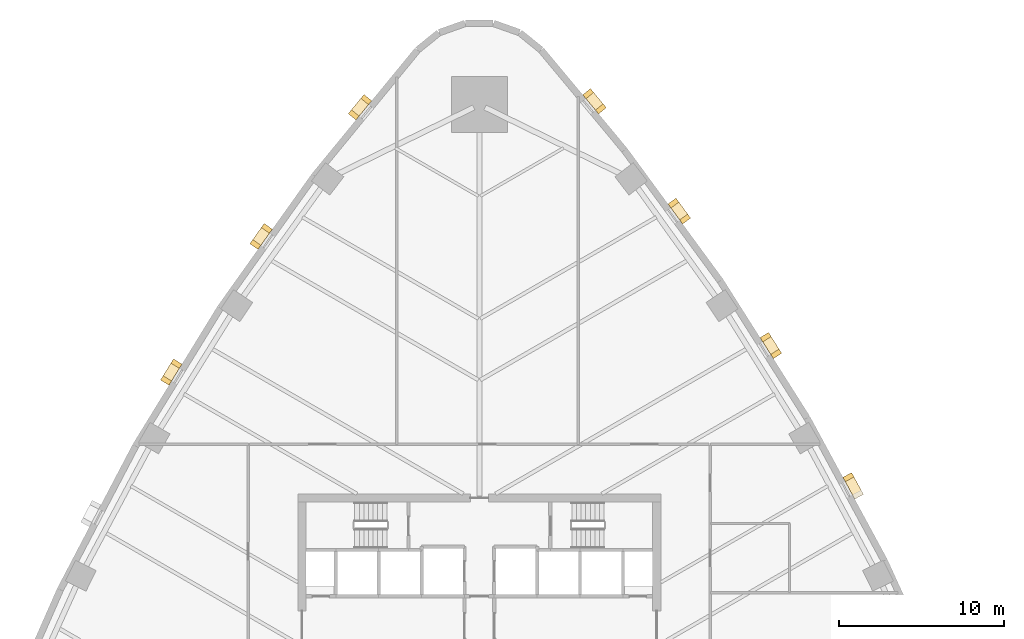
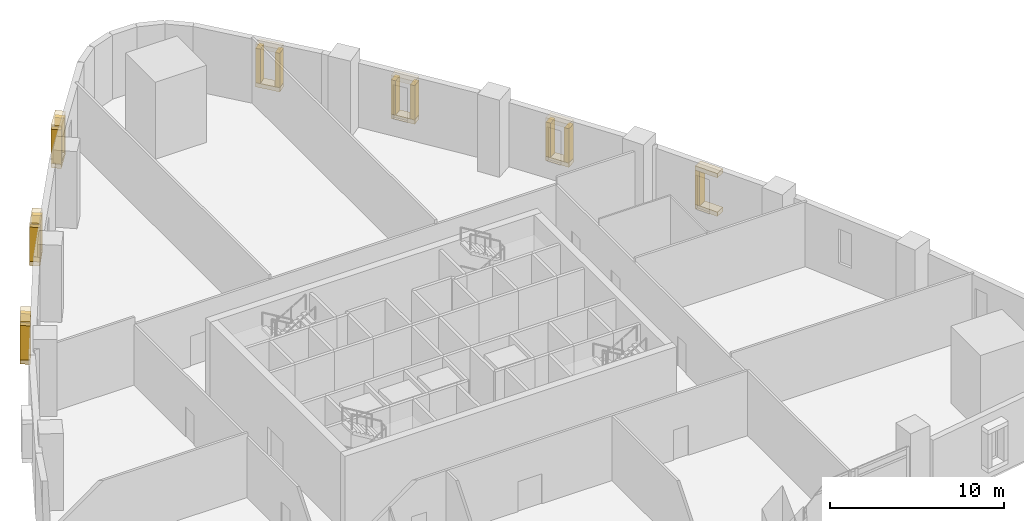
# One storey, part 13 of 14: 27 coverings.
"""IFC4 building model written with IfcOpenShell, lengths in metres."""

from ifc_helpers import new_model, si_unit, direction, frame, origin, origin_2d, place, context, subcontext, project, spatial, rectangle, extrude, material, layer, layer_set, type_object, element, save


model = new_model("IFC4")

# Units and contexts
model_context = context("Model", 3, precision=1e-05, world=origin(), true_north=direction((0.0, 1.0)))
body_context = subcontext(model_context, "Body", "Model", "MODEL_VIEW")
ifc_project = project(units=[si_unit("LENGTHUNIT", "METRE"), si_unit("AREAUNIT", "SQUARE_METRE"), si_unit("VOLUMEUNIT", "CUBIC_METRE"), si_unit("PLANEANGLEUNIT", "RADIAN"), si_unit("MASSUNIT", "GRAM", prefix="KILO")], contexts=[model_context])

# Site, building, storey
site_placement = place(None, origin())
site = spatial("IfcSite", under=ifc_project, at=site_placement, CompositionType="ELEMENT")
building_placement = place(site_placement, origin())
building = spatial("IfcBuilding", under=site, at=building_placement, Name="Sierra Prisma Convention Tower", CompositionType="ELEMENT")
storey_placement = place(building_placement, frame((0.0, 0.0, 16.800048828125)))
storey = spatial("IfcBuildingStorey", under=building, at=storey_placement, Name="L02", CompositionType="ELEMENT", Elevation=16.800048828125)

# Coverings
ifc_material = material(Name="Lime plaster, terracotta pigment", Category="masonry")
ifc_layer = layer(ifc_material, 0.300048828125)
ifc_layer_set = layer_set([ifc_layer], Name="Plaster reveal frame")
covering_type = type_object("IfcCoveringType", Name="Plaster reveal frame", PredefinedType="CLADDING", material=ifc_layer_set)
covering_placement = place(storey_placement, frame((22.3701171875, 9.01025390625, 1.199951171875), z_axis=(0.0, 0.0, 1.0), x_axis=(0.476256619921, -0.879306335688, 0.0)))
element("IfcCovering", 1, at=covering_placement, inside=storey, type_object=covering_type, Name="Window reveal jamb", PredefinedType="CLADDING", context=body_context, shape_type="SweptSolid", body=[
    extrude(rectangle(XDim=0.300048828125, YDim=0.60009765625, at=origin_2d()), origin(), (0.0, 0.0, 1.0), 2.39990234375),
])
for number, where, z_axis, x_axis, name in (
    (2, (22.65576171875, 8.482666015625, 3.60009765625), (0.0, 0.0, 1.0), (0.476256619921, -0.879306335688, 0.0), "Window reveal head"),
    (3, (22.65576171875, 8.482666015625, 0.89990234375), (0.0, 0.0, 1.0), (0.476256619921, -0.879306335688, 0.0), "Window reveal sill"),
):
    element("IfcCovering", number, at=place(storey_placement, frame(where, z_axis=z_axis, x_axis=x_axis)), inside=storey, type_object=covering_type, Name=name, PredefinedType="CLADDING", context=body_context, shape_type="SweptSolid", body=[
        extrude(rectangle(XDim=1.5, YDim=0.60009765625, at=origin_2d()), origin(), (0.0, 0.0, 1.0), 0.300048828125),
    ])
for number, where, z_axis, x_axis, name in (
    (4, (17.3486328125, 17.49658203125, 1.199951171875), (0.0, 0.0, 1.0), (0.534914305344, -0.844906317847, 0.0), "Window reveal jamb"),
    (5, (17.990478515625, 16.48291015625, 1.199951171875), (0.0, 0.0, 1.0), (0.534914305344, -0.844906317847, 0.0), "Window reveal jamb"),
):
    element("IfcCovering", number, at=place(storey_placement, frame(where, z_axis=z_axis, x_axis=x_axis)), inside=storey, type_object=covering_type, Name=name, PredefinedType="CLADDING", context=body_context, shape_type="SweptSolid", body=[
        extrude(rectangle(XDim=0.300048828125, YDim=0.60009765625, at=origin_2d()), origin(), (0.0, 0.0, 1.0), 2.39990234375),
    ])
for number, where, z_axis, x_axis, name in (
    (6, (17.669677734375, 16.98974609375, 3.60009765625), (0.0, 0.0, 1.0), (0.534914305344, -0.844906317847, 0.0), "Window reveal head"),
    (7, (17.669677734375, 16.98974609375, 0.89990234375), (0.0, 0.0, 1.0), (0.534914305344, -0.844906317847, 0.0), "Window reveal sill"),
):
    element("IfcCovering", number, at=place(storey_placement, frame(where, z_axis=z_axis, x_axis=x_axis)), inside=storey, type_object=covering_type, Name=name, PredefinedType="CLADDING", context=body_context, shape_type="SweptSolid", body=[
        extrude(rectangle(XDim=1.5, YDim=0.60009765625, at=origin_2d()), origin(), (0.0, 0.0, 1.0), 0.300048828125),
    ])
for number, where, z_axis, x_axis, name in (
    (8, (11.76220703125, 25.622314453125, 1.199951171875), (0.0, 0.0, 1.0), (0.591098501398, -0.806599381133, 0.0), "Window reveal jamb"),
    (9, (12.471435546875, 24.654541015625, 1.199951171875), (0.0, 0.0, 1.0), (0.591098501398, -0.806599381133, 0.0), "Window reveal jamb"),
):
    element("IfcCovering", number, at=place(storey_placement, frame(where, z_axis=z_axis, x_axis=x_axis)), inside=storey, type_object=covering_type, Name=name, PredefinedType="CLADDING", context=body_context, shape_type="SweptSolid", body=[
        extrude(rectangle(XDim=0.300048828125, YDim=0.60009765625, at=origin_2d()), origin(), (0.0, 0.0, 1.0), 2.39990234375),
    ])
for number, where, z_axis, x_axis, name in (
    (10, (12.116943359375, 25.138427734375, 3.60009765625), (0.0, 0.0, 1.0), (0.591098501398, -0.806599381133, 0.0), "Window reveal head"),
    (11, (12.116943359375, 25.138427734375, 0.89990234375), (0.0, 0.0, 1.0), (0.591098501398, -0.806599381133, 0.0), "Window reveal sill"),
):
    element("IfcCovering", number, at=place(storey_placement, frame(where, z_axis=z_axis, x_axis=x_axis)), inside=storey, type_object=covering_type, Name=name, PredefinedType="CLADDING", context=body_context, shape_type="SweptSolid", body=[
        extrude(rectangle(XDim=1.5, YDim=0.60009765625, at=origin_2d()), origin(), (0.0, 0.0, 1.0), 0.300048828125),
    ])
for number, where, z_axis, x_axis, name in (
    (12, (6.595947265625, 32.253662109375, 1.199951171875), (0.0, 0.0, 1.0), (0.639358485546, -0.768908789753, 0.0), "Window reveal jamb"),
    (13, (7.36328125, 31.330810546875, 1.199951171875), (0.0, 0.0, 1.0), (0.639358485546, -0.768908789753, 0.0), "Window reveal jamb"),
):
    element("IfcCovering", number, at=place(storey_placement, frame(where, z_axis=z_axis, x_axis=x_axis)), inside=storey, type_object=covering_type, Name=name, PredefinedType="CLADDING", context=body_context, shape_type="SweptSolid", body=[
        extrude(rectangle(XDim=0.300048828125, YDim=0.60009765625, at=origin_2d()), origin(), (0.0, 0.0, 1.0), 2.39990234375),
    ])
for number, where, z_axis, x_axis, name in (
    (14, (6.9794921875, 31.792236328125, 3.60009765625), (0.0, 0.0, 1.0), (0.639358485546, -0.768908789753, 0.0), "Window reveal head"),
    (15, (6.9794921875, 31.792236328125, 0.89990234375), (0.0, 0.0, 1.0), (0.639358485546, -0.768908789753, 0.0), "Window reveal sill"),
):
    element("IfcCovering", number, at=place(storey_placement, frame(where, z_axis=z_axis, x_axis=x_axis)), inside=storey, type_object=covering_type, Name=name, PredefinedType="CLADDING", context=body_context, shape_type="SweptSolid", body=[
        extrude(rectangle(XDim=1.5, YDim=0.60009765625, at=origin_2d()), origin(), (0.0, 0.0, 1.0), 0.300048828125),
    ])
for number, where, z_axis, x_axis, name in (
    (16, (-7.616943359375, 30.96728515625, 1.199951171875), (0.0, 0.0, 1.0), (0.634115316669, 0.773238491777, 0.0), "Window reveal jamb"),
    (17, (-6.856201171875, 31.895263671875, 1.199951171875), (0.0, 0.0, 1.0), (0.634115316669, 0.773238491777, 0.0), "Window reveal jamb"),
):
    element("IfcCovering", number, at=place(storey_placement, frame(where, z_axis=z_axis, x_axis=x_axis)), inside=storey, type_object=covering_type, Name=name, PredefinedType="CLADDING", context=body_context, shape_type="SweptSolid", body=[
        extrude(rectangle(XDim=0.300048828125, YDim=0.60009765625, at=origin_2d()), origin(), (0.0, 0.0, 1.0), 2.39990234375),
    ])
for number, where, z_axis, x_axis, name in (
    (18, (-7.236572265625, 31.431396484375, 3.60009765625), (0.0, 0.0, 1.0), (0.634115316669, 0.773238491777, 0.0), "Window reveal head"),
    (19, (-7.236572265625, 31.431396484375, 0.89990234375), (0.0, 0.0, 1.0), (0.634115316669, 0.773238491777, 0.0), "Window reveal sill"),
):
    element("IfcCovering", number, at=place(storey_placement, frame(where, z_axis=z_axis, x_axis=x_axis)), inside=storey, type_object=covering_type, Name=name, PredefinedType="CLADDING", context=body_context, shape_type="SweptSolid", body=[
        extrude(rectangle(XDim=1.5, YDim=0.60009765625, at=origin_2d()), origin(), (0.0, 0.0, 1.0), 0.300048828125),
    ])
for number, where, z_axis, x_axis, name in (
    (20, (-13.576416015625, 23.111083984375, 1.199951171875), (0.0, 0.0, 1.0), (0.58007190198, 0.814565275797, 0.0), "Window reveal jamb"),
    (21, (-12.88037109375, 24.088623046875, 1.199951171875), (0.0, 0.0, 1.0), (0.58007190198, 0.814565275797, 0.0), "Window reveal jamb"),
):
    element("IfcCovering", number, at=place(storey_placement, frame(where, z_axis=z_axis, x_axis=x_axis)), inside=storey, type_object=covering_type, Name=name, PredefinedType="CLADDING", context=body_context, shape_type="SweptSolid", body=[
        extrude(rectangle(XDim=0.300048828125, YDim=0.60009765625, at=origin_2d()), origin(), (0.0, 0.0, 1.0), 2.39990234375),
    ])
for number, where, z_axis, x_axis, name in (
    (22, (-13.228515625, 23.599853515625, 3.60009765625), (0.0, 0.0, 1.0), (0.58007190198, 0.814565275797, 0.0), "Window reveal head"),
    (23, (-13.228515625, 23.599853515625, 0.89990234375), (0.0, 0.0, 1.0), (0.58007190198, 0.814565275797, 0.0), "Window reveal sill"),
):
    element("IfcCovering", number, at=place(storey_placement, frame(where, z_axis=z_axis, x_axis=x_axis)), inside=storey, type_object=covering_type, Name=name, PredefinedType="CLADDING", context=body_context, shape_type="SweptSolid", body=[
        extrude(rectangle(XDim=1.5, YDim=0.60009765625, at=origin_2d()), origin(), (0.0, 0.0, 1.0), 0.300048828125),
    ])
for number, where, z_axis, x_axis, name in (
    (24, (-18.988037109375, 14.867919921875, 1.199951171875), (0.0, 0.0, 1.0), (0.523373314454, 0.852103499416, 0.0), "Window reveal jamb"),
    (25, (-18.360107421875, 15.890380859375, 1.199951171875), (0.0, 0.0, 1.0), (0.523373314454, 0.852103499416, 0.0), "Window reveal jamb"),
):
    element("IfcCovering", number, at=place(storey_placement, frame(where, z_axis=z_axis, x_axis=x_axis)), inside=storey, type_object=covering_type, Name=name, PredefinedType="CLADDING", context=body_context, shape_type="SweptSolid", body=[
        extrude(rectangle(XDim=0.300048828125, YDim=0.60009765625, at=origin_2d()), origin(), (0.0, 0.0, 1.0), 2.39990234375),
    ])
for number, where, z_axis, x_axis, name in (
    (26, (-18.674072265625, 15.379150390625, 3.60009765625), (0.0, 0.0, 1.0), (0.523373314454, 0.852103499416, 0.0), "Window reveal head"),
    (27, (-18.674072265625, 15.379150390625, 0.89990234375), (0.0, 0.0, 1.0), (0.523373314454, 0.852103499416, 0.0), "Window reveal sill"),
):
    element("IfcCovering", number, at=place(storey_placement, frame(where, z_axis=z_axis, x_axis=x_axis)), inside=storey, type_object=covering_type, Name=name, PredefinedType="CLADDING", context=body_context, shape_type="SweptSolid", body=[
        extrude(rectangle(XDim=1.5, YDim=0.60009765625, at=origin_2d()), origin(), (0.0, 0.0, 1.0), 0.300048828125),
    ])

save(model, "model.ifc")
